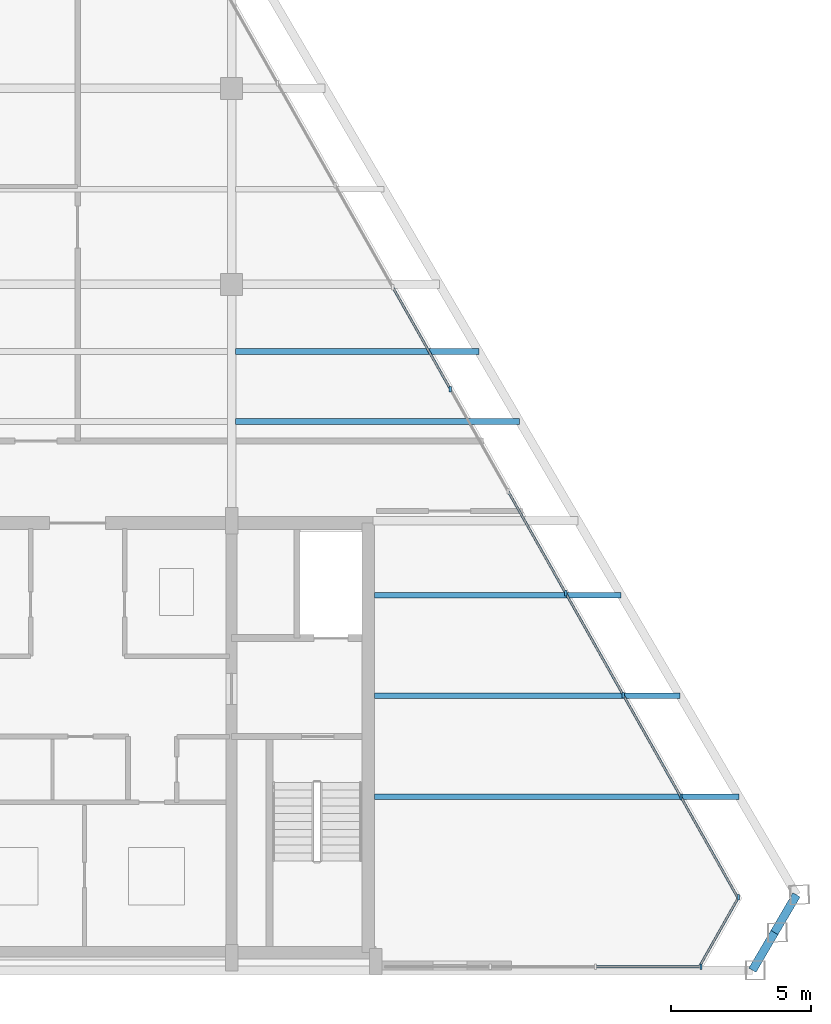
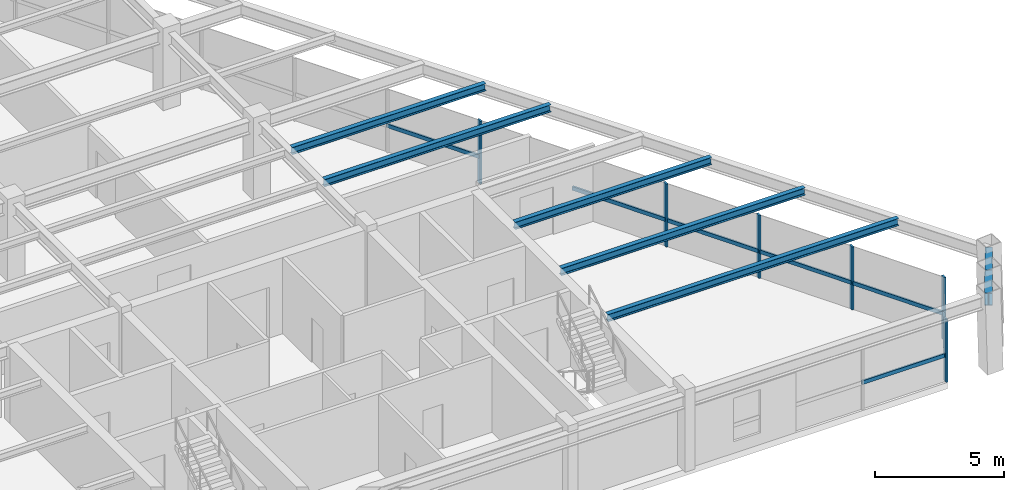
# One storey, part 6 of 12: 13 members, 7 beams, 3 elements without a shape of their own.
"""IFC4 building model written with IfcOpenShell, lengths in metres."""

from ifc_helpers import new_model, si_unit, direction, frame, origin, origin_2d, place, context, subcontext, project, spatial, rectangle, i_section, extrude, source, transform, mapped, material, material_profile, profile_set, type_object, type_shapes, element, aggregate, save


model = new_model("IFC4")

# Units and contexts
model_context = context("Model", 3, precision=1e-05, world=origin(), true_north=direction((0.0, 1.0)))
body_context = subcontext(model_context, "Body", "Model", "MODEL_VIEW")
ifc_project = project(units=[si_unit("LENGTHUNIT", "METRE"), si_unit("AREAUNIT", "SQUARE_METRE"), si_unit("VOLUMEUNIT", "CUBIC_METRE"), si_unit("PLANEANGLEUNIT", "RADIAN"), si_unit("MASSUNIT", "GRAM", prefix="KILO")], contexts=[model_context])

# Site, building, storey
site_placement = place(None, origin())
site = spatial("IfcSite", under=ifc_project, at=site_placement, CompositionType="ELEMENT")
building_placement = place(site_placement, origin())
building = spatial("IfcBuilding", under=site, at=building_placement, Name="Varnakhor Terracotta Tower", CompositionType="ELEMENT")
storey_placement = place(building_placement, frame((0.0, 0.0, 317.5)))
storey = spatial("IfcBuildingStorey", under=building, at=storey_placement, Name="L83 Crown", CompositionType="ELEMENT", Elevation=317.5)

# Beams
ifc_material_1 = material(Name="Steel S355", Category="steel")
ifc_material_profile_1 = material_profile(ifc_material_1, i_section(OverallWidth=0.300048828125, OverallDepth=0.60009765625, WebThickness=0.015380859375, FlangeThickness=0.030029296875, FilletRadius=0.01806640625, at=origin_2d()), Name="HEB600")
ifc_profile_set_1 = profile_set([ifc_material_profile_1], Name="Steel S355")
beam_type_1 = type_object("IfcBeamType", Name="BM-HEB600", PredefinedType="BEAM", material=ifc_profile_set_1)
shared_shape_1 = source(origin(), body_context, "Body", "SweptSolid", [
    extrude(i_section(OverallWidth=0.300048828125, OverallDepth=0.60009765625, WebThickness=0.015380859375, FlangeThickness=0.030029296875, FilletRadius=0.01806640625, at=origin_2d()), origin(), (0.0, 0.0, 1.0), 1.558837890625),
])
for number, where, z_axis, x_axis, name in (
    (1, (24.106201171875, 0.0, 3.300048828125), (0.504766618525, 0.863255848994, 0.0), (-0.863255848994, 0.504766618525, 0.0), "L83 Crown Perimeter Spandrel 2"),
    (2, (24.89306640625, 1.345703125, 3.300048828125), (0.504951571043, 0.863147676184, 0.0), (-0.863147676184, 0.504951571043, 0.0), "L83 Crown Perimeter Spandrel 3"),
):
    element("IfcBeam", number, at=place(storey_placement, frame(where, z_axis=z_axis, x_axis=x_axis)), inside=storey, type_object=beam_type_1, Name=name, PredefinedType="BEAM", context=body_context, shape_type="MappedRepresentation", body=[
        mapped(shared_shape_1, transform((0.0, 0.0, 0.0), scale=1.0)),
    ])
ifc_material_profile_2 = material_profile(ifc_material_1, i_section(OverallWidth=0.202880859375, OverallDepth=0.346923828125, WebThickness=0.0078125, FlangeThickness=0.013427734375, FilletRadius=0.01806640625, at=origin_2d()), Name="W14X43")
ifc_profile_set_2 = profile_set([ifc_material_profile_2], Name="Steel S355")
beam_type_2 = type_object("IfcBeamType", Name="JST-W14X43", PredefinedType="JOIST", material=ifc_profile_set_2)
shared_shape_2 = source(origin(), body_context, "Body", "SweptSolid", [
    extrude(i_section(OverallWidth=0.202880859375, OverallDepth=0.346923828125, WebThickness=0.0078125, FlangeThickness=0.013427734375, FilletRadius=0.01806640625, at=origin_2d()), origin(), (0.0, 0.0, 1.0), 13.02783203125),
])
beam_1_placement = place(storey_placement, frame((10.60009765625, 6.199951171875, 3.426513671875), z_axis=(1.0, 0.0, 0.0), x_axis=(0.0, 1.0, 0.0)))
element("IfcBeam", 3, at=beam_1_placement, inside=storey, type_object=beam_type_2, Name="L83 Crown Floor Joist E1", PredefinedType="JOIST", context=body_context, shape_type="MappedRepresentation", body=[
    mapped(shared_shape_2, transform((0.0, 0.0, 0.0), scale=1.0)),
])
shared_shape_3 = source(origin(), body_context, "Body", "SweptSolid", [
    extrude(i_section(OverallWidth=0.202880859375, OverallDepth=0.346923828125, WebThickness=0.0078125, FlangeThickness=0.013427734375, FilletRadius=0.01806640625, at=origin_2d()), origin(), (0.0, 0.0, 1.0), 10.92236328125),
])
beam_2_placement = place(storey_placement, frame((10.60009765625, 9.800048828125, 3.426513671875), z_axis=(1.0, 0.0, 0.0), x_axis=(0.0, 1.0, 0.0)))
element("IfcBeam", 4, at=beam_2_placement, inside=storey, type_object=beam_type_2, Name="L83 Crown Floor Joist E2", PredefinedType="JOIST", context=body_context, shape_type="MappedRepresentation", body=[
    mapped(shared_shape_3, transform((0.0, 0.0, 0.0), scale=1.0)),
])
shared_shape_4 = source(origin(), body_context, "Body", "SweptSolid", [
    extrude(i_section(OverallWidth=0.202880859375, OverallDepth=0.346923828125, WebThickness=0.0078125, FlangeThickness=0.013427734375, FilletRadius=0.01806640625, at=origin_2d()), origin(), (0.0, 0.0, 1.0), 8.81689453125),
])
beam_3_placement = place(storey_placement, frame((10.60009765625, 13.39990234375, 3.426513671875), z_axis=(1.0, 0.0, 0.0), x_axis=(0.0, 1.0, 0.0)))
element("IfcBeam", 5, at=beam_3_placement, inside=storey, type_object=beam_type_2, Name="L83 Crown Floor Joist E3", PredefinedType="JOIST", context=body_context, shape_type="MappedRepresentation", body=[
    mapped(shared_shape_4, transform((0.0, 0.0, 0.0), scale=1.0)),
])
shared_shape_5 = source(origin(), body_context, "Body", "SweptSolid", [
    extrude(i_section(OverallWidth=0.202880859375, OverallDepth=0.346923828125, WebThickness=0.0078125, FlangeThickness=0.013427734375, FilletRadius=0.01806640625, at=origin_2d()), origin(), (0.0, 0.0, 1.0), 10.14501953125),
])
beam_4_placement = place(storey_placement, frame((5.64599609375, 19.60009765625, 3.426513671875), z_axis=(1.0, 0.0, 0.0), x_axis=(0.0, 1.0, 0.0)))
element("IfcBeam", 6, at=beam_4_placement, inside=storey, type_object=beam_type_2, Name="L83 Crown Composite Floor Joist 4-3", PredefinedType="JOIST", context=body_context, shape_type="MappedRepresentation", body=[
    mapped(shared_shape_5, transform((0.0, 0.0, 0.0), scale=1.0)),
])
shared_shape_6 = source(origin(), body_context, "Body", "SweptSolid", [
    extrude(i_section(OverallWidth=0.202880859375, OverallDepth=0.346923828125, WebThickness=0.0078125, FlangeThickness=0.013427734375, FilletRadius=0.01806640625, at=origin_2d()), origin(), (0.0, 0.0, 1.0), 8.6826171875),
])
beam_5_placement = place(storey_placement, frame((5.64599609375, 22.10009765625, 3.426513671875), z_axis=(1.0, 0.0, 0.0), x_axis=(0.0, 1.0, 0.0)))
element("IfcBeam", 7, at=beam_5_placement, inside=storey, type_object=beam_type_2, Name="L83 Crown Composite Floor Joist 5-3", PredefinedType="JOIST", context=body_context, shape_type="MappedRepresentation", body=[
    mapped(shared_shape_6, transform((0.0, 0.0, 0.0), scale=1.0)),
])

# Curtain wall, members
ifc_material_2 = material(Name="Anodised Aluminium Curtain Wall System", Category="aluminium")
curtain_wall_type = type_object("IfcCurtainWallType", Name="CW-SYS-CROWN", PredefinedType="NOTDEFINED", material=ifc_material_2)
curtain_wall_1_placement = place(storey_placement, origin())
curtain_wall_1 = element("IfcCurtainWall", 8, at=curtain_wall_1_placement, inside=storey, type_object=curtain_wall_type, Name="L83 Crown Facet Curtain Wall 3", PredefinedType="NOTDEFINED")
ifc_material_3 = material(Name="Anodised Aluminium 6063-T6", Category="aluminium")
ifc_material_profile_3 = material_profile(ifc_material_3, rectangle(XDim=0.080078125, YDim=0.205078125, at=origin_2d()), Name="ALU MULLION 80x205")
ifc_profile_set_3 = profile_set([ifc_material_profile_3], Name="Anodised Aluminium 6063-T6")
member_type_1 = type_object("IfcMemberType", Name="CWM-06", PredefinedType="MULLION", material=ifc_profile_set_3)
shared_shape_7 = source(origin(), body_context, "Body", "SweptSolid", [
    extrude(rectangle(XDim=0.080078125, YDim=0.205078125, at=origin_2d()), origin(), (0.0, 0.0, 1.0), 2.97998046875),
])
type_shapes(member_type_1, [shared_shape_7])
member_1_placement = place(storey_placement, frame((13.31298828125, 20.757568359375, 0.0), z_axis=(0.0, 0.0, 1.0), x_axis=(1.0, 0.0, 0.0)))
member_1 = element("IfcMember", 9, at=member_1_placement, type_object=member_type_1, Name="L83 Crown Facet Curtain Wall 3 Mullion 7", PredefinedType="MULLION", context=body_context, shape_type="MappedRepresentation", body=[
    mapped(shared_shape_7, transform((0.0, 0.0, 0.0), scale=1.0)),
])
member_2_placement = place(storey_placement, frame((17.43212890625, 13.470703125, 0.0), z_axis=(0.0, 0.0, 1.0), x_axis=(1.0, 0.0, 0.0)))
member_2 = element("IfcMember", 10, at=member_2_placement, type_object=member_type_1, Name="L83 Crown Facet Curtain Wall 3 Mullion 9", PredefinedType="MULLION", context=body_context, shape_type="MappedRepresentation", body=[
    mapped(shared_shape_7, transform((0.0, 0.0, 0.0), scale=1.0)),
])
member_3_placement = place(storey_placement, frame((19.49169921875, 9.826904296875, 0.0), z_axis=(0.0, 0.0, 1.0), x_axis=(1.0, 0.0, 0.0)))
member_3 = element("IfcMember", 11, at=member_3_placement, type_object=member_type_1, Name="L83 Crown Facet Curtain Wall 3 Mullion 10", PredefinedType="MULLION", context=body_context, shape_type="MappedRepresentation", body=[
    mapped(shared_shape_7, transform((0.0, 0.0, 0.0), scale=1.0)),
])
member_4_placement = place(storey_placement, frame((21.55126953125, 6.18359375, 0.0), z_axis=(0.0, 0.0, 1.0), x_axis=(1.0, 0.0, 0.0)))
member_4 = element("IfcMember", 12, at=member_4_placement, type_object=member_type_1, Name="L83 Crown Facet Curtain Wall 3 Mullion 11", PredefinedType="MULLION", context=body_context, shape_type="MappedRepresentation", body=[
    mapped(shared_shape_7, transform((0.0, 0.0, 0.0), scale=1.0)),
])

# Curtain wall, member
curtain_wall_2_placement = place(storey_placement, origin())
curtain_wall_2 = element("IfcCurtainWall", 13, at=curtain_wall_2_placement, inside=storey, type_object=curtain_wall_type, Name="L83 Crown Facet Curtain Wall 4", PredefinedType="NOTDEFINED")
member_5_placement = place(storey_placement, frame((23.61083984375, 2.605712890625, 0.0), z_axis=(0.0, 0.0, 1.0), x_axis=(1.0, 0.0, 0.0)))
member_5 = element("IfcMember", 14, at=member_5_placement, type_object=member_type_1, Name="L83 Crown Facet Curtain Wall 4 Mullion 1", PredefinedType="MULLION", context=body_context, shape_type="MappedRepresentation", body=[
    mapped(shared_shape_7, transform((0.0, 0.0, 0.0), scale=1.0)),
])

curtain_wall_3_placement = place(storey_placement, origin())
curtain_wall_3 = element("IfcCurtainWall", 15, at=curtain_wall_3_placement, inside=storey, type_object=curtain_wall_type, Name="L83 Crown South Wing Curtain Wall SSE", PredefinedType="NOTDEFINED")
member_6_placement = place(storey_placement, frame((22.265625, 0.1201171875, 0.0), z_axis=(0.0, 0.0, 1.0), x_axis=(1.0, 0.0, 0.0)))
member_6 = element("IfcMember", 16, at=member_6_placement, type_object=member_type_1, Name="L83 Crown South Wing Curtain Wall SSE Mullion 1", PredefinedType="MULLION", context=body_context, shape_type="MappedRepresentation", body=[
    mapped(shared_shape_7, transform((0.0, 0.0, 0.0), scale=1.0)),
])

# Member
ifc_material_profile_4 = material_profile(ifc_material_3, rectangle(XDim=0.080078125, YDim=0.179931640625, at=origin_2d()), Name="ALU TRANSOM 80x180")
ifc_profile_set_4 = profile_set([ifc_material_profile_4], Name="Anodised Aluminium 6063-T6")
member_type_2 = type_object("IfcMemberType", Name="CWT-06", PredefinedType="USERDEFINED", material=ifc_profile_set_4)
shared_shape_8 = source(origin(), body_context, "Body", "SweptSolid", [
    extrude(rectangle(XDim=0.080078125, YDim=0.179931640625, at=origin_2d()), origin(), (0.0, 0.0, 1.0), 4.185302734375),
])
member_7_placement = place(storey_placement, frame((11.25341796875, 24.401123046875, 1.251708984375), z_axis=(0.492088010148, -0.870545455601, 0.0), x_axis=(0.870545455601, 0.492088010148, 0.0)))
member_7 = element("IfcMember", 17, at=member_7_placement, type_object=member_type_2, Name="L83 Crown Facet Curtain Wall 3 Transom 6", ObjectType="TRANSOM", PredefinedType="USERDEFINED", context=body_context, shape_type="MappedRepresentation", body=[
    mapped(shared_shape_8, transform((0.0, 0.0, 0.0), scale=1.0)),
])

member_8_placement = place(storey_placement, frame((21.55126953125, 6.18359375, 1.251708984375), z_axis=(0.492088010148, -0.870545455601, 0.0), x_axis=(0.870545455601, 0.492088010148, 0.0)))
member_8 = element("IfcMember", 18, at=member_8_placement, type_object=member_type_2, Name="L83 Crown Facet Curtain Wall 3 Transom 11", ObjectType="TRANSOM", PredefinedType="USERDEFINED", context=body_context, shape_type="MappedRepresentation", body=[
    mapped(shared_shape_8, transform((0.0, 0.0, 0.0), scale=1.0)),
])

shared_shape_9 = source(origin(), body_context, "Body", "SweptSolid", [
    extrude(rectangle(XDim=0.080078125, YDim=0.179931640625, at=origin_2d()), origin(), (0.0, 0.0, 1.0), 4.18505859375),
])
member_9_placement = place(storey_placement, frame((15.37255859375, 17.114013671875, 1.251708984375), z_axis=(0.49211299973, -0.870531329417, 0.0), x_axis=(0.870531329417, 0.49211299973, 0.0)))
member_9 = element("IfcMember", 19, at=member_9_placement, type_object=member_type_2, Name="L83 Crown Facet Curtain Wall 3 Transom 8", ObjectType="TRANSOM", PredefinedType="USERDEFINED", context=body_context, shape_type="MappedRepresentation", body=[
    mapped(shared_shape_9, transform((0.0, 0.0, 0.0), scale=1.0)),
])

member_10_placement = place(storey_placement, frame((19.49169921875, 9.826904296875, 1.251708984375), z_axis=(0.49211299973, -0.870531329417, 0.0), x_axis=(0.870531329417, 0.49211299973, 0.0)))
member_10 = element("IfcMember", 20, at=member_10_placement, type_object=member_type_2, Name="L83 Crown Facet Curtain Wall 3 Transom 10", ObjectType="TRANSOM", PredefinedType="USERDEFINED", context=body_context, shape_type="MappedRepresentation", body=[
    mapped(shared_shape_9, transform((0.0, 0.0, 0.0), scale=1.0)),
])

shared_shape_10 = source(origin(), body_context, "Body", "SweptSolid", [
    extrude(rectangle(XDim=0.080078125, YDim=0.179931640625, at=origin_2d()), origin(), (0.0, 0.0, 1.0), 4.185546875),
])
member_11_placement = place(storey_placement, frame((17.43212890625, 13.470703125, 1.251708984375), z_axis=(0.492063022699, -0.870559579634, 0.0), x_axis=(0.870559579634, 0.492063022699, 0.0)))
member_11 = element("IfcMember", 21, at=member_11_placement, type_object=member_type_2, Name="L83 Crown Facet Curtain Wall 3 Transom 9", ObjectType="TRANSOM", PredefinedType="USERDEFINED", context=body_context, shape_type="MappedRepresentation", body=[
    mapped(shared_shape_10, transform((0.0, 0.0, 0.0), scale=1.0)),
])

aggregate(curtain_wall_1, [member_7, member_1, member_9, member_2, member_11, member_3, member_10, member_4, member_8])

shared_shape_11 = source(origin(), body_context, "Body", "SweptSolid", [
    extrude(rectangle(XDim=0.080078125, YDim=0.179931640625, at=origin_2d()), origin(), (0.0, 0.0, 1.0), 2.895263671875),
])
member_12_placement = place(storey_placement, frame((23.61083984375, 2.605712890625, 1.251708984375), z_axis=(-0.492101712191, -0.870537710188, 0.0), x_axis=(0.870537710188, -0.492101712191, 0.0)))
member_12 = element("IfcMember", 22, at=member_12_placement, type_object=member_type_2, Name="L83 Crown Facet Curtain Wall 4 Transom 1", ObjectType="TRANSOM", PredefinedType="USERDEFINED", context=body_context, shape_type="MappedRepresentation", body=[
    mapped(shared_shape_11, transform((0.0, 0.0, 0.0), scale=1.0)),
])

aggregate(curtain_wall_2, [member_5, member_12])

shared_shape_12 = source(origin(), body_context, "Body", "SweptSolid", [
    extrude(rectangle(XDim=0.080078125, YDim=0.179931640625, at=origin_2d()), origin(), (0.0, 0.0, 1.0), 3.76513671875),
])
member_13_placement = place(storey_placement, frame((22.265625, 0.1201171875, 1.251708984375), z_axis=(-1.0, 0.0, 0.0), x_axis=(0.0, -1.0, 0.0)))
member_13 = element("IfcMember", 23, at=member_13_placement, type_object=member_type_2, Name="L83 Crown South Wing Curtain Wall SSE Transom 1", ObjectType="TRANSOM", PredefinedType="USERDEFINED", context=body_context, shape_type="MappedRepresentation", body=[
    mapped(shared_shape_12, transform((0.0, 0.0, 0.0), scale=1.0)),
])

aggregate(curtain_wall_3, [member_6, member_13])

save(model, "model.ifc")
